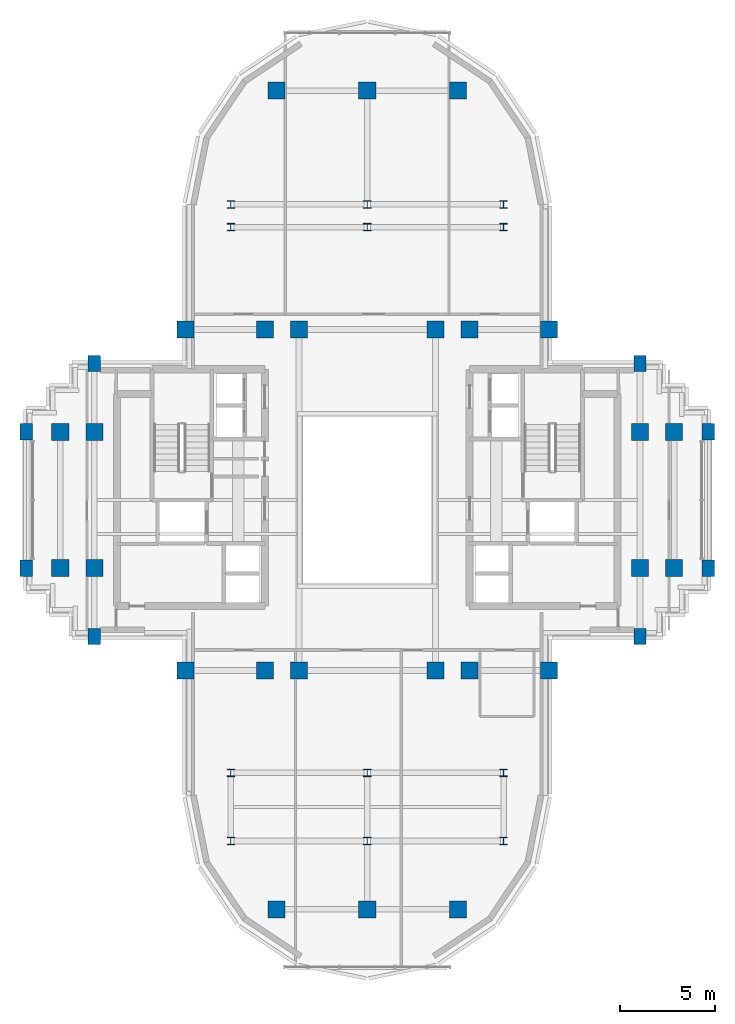
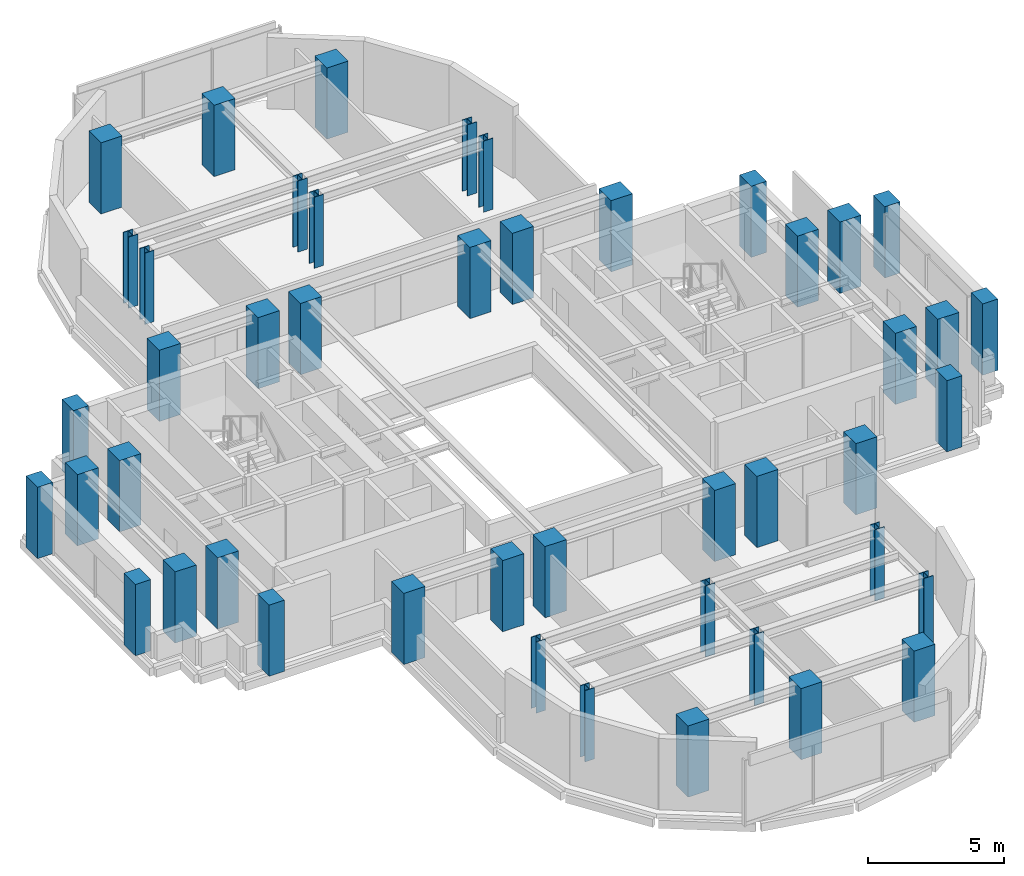
# One storey, part 1 of 11: 46 columns.
"""IFC4 building model written with IfcOpenShell, lengths in metres."""

import ifcopenshell
import ifcopenshell.guid

model = None  # the IFC model being written
_history = None  # IfcOwnerHistory: only IFC2X3 demands one
_inside = {}  # id of a spatial element -> (the spatial element, [elements in it])
_under = {}  # id of a project, library or spatial element -> (it, [spatial elements below it])
_declared = {}  # id of a project -> (the project, [libraries it declares])
_typed = {}  # id of a type object -> (the type object, [elements of that type])
_made_of = {}  # id of a material, layer set ... -> (it, [elements and type objects made of it])


def new_model(schema):
    """Start an empty IFC model of exactly this schema.

    Asked for "IFC4X3", IfcOpenShell would pick the latest addendum, in which some entities
    have other attributes; the version numbers below select the first issue.
    IFC2X3 requires an IfcOwnerHistory on every rooted entity: one is made here for all.
    """
    global model, _history
    if schema == "IFC4X3":
        model = ifcopenshell.file(schema_version=(4, 3, 0, 0))
    else:
        model = ifcopenshell.file(schema=schema)
    _inside.clear()
    _under.clear()
    _declared.clear()
    _typed.clear()
    _made_of.clear()
    _history = None
    if model.schema == "IFC2X3":
        org = make("IfcOrganization", Name="unknown")
        user = make(
            "IfcPersonAndOrganization",
            ThePerson=make("IfcPerson", FamilyName="unknown"),
            TheOrganization=org,
        )
        app = make(
            "IfcApplication",
            ApplicationDeveloper=org,
            Version="unknown",
            ApplicationFullName="unknown",
            ApplicationIdentifier="unknown",
        )
        _history = make(
            "IfcOwnerHistory",
            OwningUser=user,
            OwningApplication=app,
            ChangeAction="ADDED",
            CreationDate=0,
        )
    return model


def make(cls, **values):
    """One entity of the class cls with the attributes given. An attribute that is None is left unset."""
    return model.create_entity(
        cls, **{name: value for name, value in values.items() if value is not None}
    )


def rooted(cls, **values):
    """An entity with a GlobalId (a new one), such as an element, a storey or a relation."""
    return make(cls, GlobalId=ifcopenshell.guid.new(), OwnerHistory=_history, **values)


def si_unit(unit_type, name, prefix=None):
    """IfcSIUnit, for example si_unit("LENGTHUNIT", "METRE", prefix="MILLI")."""
    return make("IfcSIUnit", UnitType=unit_type, Prefix=prefix, Name=name)


def assignment(units):
    """IfcUnitAssignment: the units of a project."""
    return None if units is None else make("IfcUnitAssignment", Units=units)


def point(xyz):
    """IfcCartesianPoint."""
    return None if xyz is None else make("IfcCartesianPoint", Coordinates=xyz)


def direction(xyz):
    """IfcDirection."""
    return None if xyz is None else make("IfcDirection", DirectionRatios=xyz)


def frame(location, z_axis=None, x_axis=None):
    """IfcAxis2Placement3D, a coordinate frame: its origin and axes. An axis left out is left unset."""
    return make(
        "IfcAxis2Placement3D",
        Location=point(location),
        Axis=direction(z_axis),
        RefDirection=direction(x_axis),
    )


def frame_2d(location, x_axis=None):
    """IfcAxis2Placement2D, a coordinate frame in the plane: its origin and x axis."""
    return make(
        "IfcAxis2Placement2D", Location=point(location), RefDirection=direction(x_axis)
    )


def origin():
    """The frame at (0, 0, 0) with its axes left unset."""
    return frame((0.0, 0.0, 0.0))


def origin_2d():
    """The frame at (0, 0) in the plane with its x axis left unset."""
    return frame_2d((0.0, 0.0))


def place(relative_to, where):
    """IfcLocalPlacement: puts the frame where relative to a parent placement (None: the world)."""
    return make(
        "IfcLocalPlacement", PlacementRelTo=relative_to, RelativePlacement=where
    )


def context(
    kind, dimensions, precision=None, world=None, true_north=None, identifier=None
):
    """IfcGeometricRepresentationContext, for example the 3D "Model" context."""
    return make(
        "IfcGeometricRepresentationContext",
        ContextIdentifier=identifier,
        ContextType=kind,
        CoordinateSpaceDimension=dimensions,
        Precision=precision,
        WorldCoordinateSystem=world,
        TrueNorth=true_north,
    )


def subcontext(parent, identifier, kind, view, scale=None):
    """IfcGeometricRepresentationSubContext, for example "Body" below "Model"."""
    return make(
        "IfcGeometricRepresentationSubContext",
        ContextIdentifier=identifier,
        ContextType=kind,
        ParentContext=parent,
        TargetScale=scale,
        TargetView=view,
    )


def project(units=None, contexts=None):
    """IfcProject with its units and contexts."""
    return rooted(
        "IfcProject",
        Name="project",
        RepresentationContexts=contexts,
        UnitsInContext=assignment(units),
    )


def spatial(cls, under=None, at=None, **own):
    """A site, building, storey or space (cls), placed at a placement, below another one or the project."""
    s = rooted(cls, ObjectPlacement=at, **own)
    if under is not None:
        _under.setdefault(under.id(), (under, []))[1].append(s)
    return s


def profile(cls, at=None, kind="AREA", **sizes):
    """A parametric profile (cls). Its sizes go by their IFC names, for example OverallWidth=200.0."""
    return make(cls, ProfileType=kind, Position=at, **sizes)


def rectangle(**sizes):
    """IfcRectangleProfileDef."""
    return profile("IfcRectangleProfileDef", **sizes)


def i_section(**sizes):
    """IfcIShapeProfileDef."""
    return profile("IfcIShapeProfileDef", **sizes)


def extrude(swept, where, along, depth):
    """IfcExtrudedAreaSolid: the profile swept, set in the frame where, extruded along a direction by depth."""
    return make(
        "IfcExtrudedAreaSolid",
        SweptArea=swept,
        Position=where,
        ExtrudedDirection=direction(along),
        Depth=depth,
    )


def shape(context_of_items, identifier, shape_type, items):
    """IfcShapeRepresentation: the items that make up one representation, for example the "Body"."""
    return make(
        "IfcShapeRepresentation",
        ContextOfItems=context_of_items,
        RepresentationIdentifier=identifier,
        RepresentationType=shape_type,
        Items=items,
    )


def source(mapping_origin, context_of_items, identifier, shape_type, items):
    """IfcRepresentationMap: a shape defined once, which mapped items show again and again."""
    return make(
        "IfcRepresentationMap",
        MappingOrigin=mapping_origin,
        MappedRepresentation=shape(context_of_items, identifier, shape_type, items),
    )


def transform(
    local_origin,
    x_axis=None,
    y_axis=None,
    z_axis=None,
    scale=None,
    scale2=None,
    scale3=None,
    uniform=True,
):
    """IfcCartesianTransformationOperator3D, or its non-uniform kind. x_axis, y_axis, z_axis: its Axis1, 2, 3."""
    if uniform:
        return make(
            "IfcCartesianTransformationOperator3D",
            Axis1=direction(x_axis),
            Axis2=direction(y_axis),
            LocalOrigin=point(local_origin),
            Scale=scale,
            Axis3=direction(z_axis),
        )
    return make(
        "IfcCartesianTransformationOperator3DnonUniform",
        Axis1=direction(x_axis),
        Axis2=direction(y_axis),
        LocalOrigin=point(local_origin),
        Scale=scale,
        Axis3=direction(z_axis),
        Scale2=scale2,
        Scale3=scale3,
    )


def mapped(mapping_source, mapping_target):
    """IfcMappedItem: shows the shape of a source again, moved by a transform."""
    return make(
        "IfcMappedItem", MappingSource=mapping_source, MappingTarget=mapping_target
    )


def material(Name=None, Category=None):
    """IfcMaterial."""
    return make("IfcMaterial", Name=Name, Category=Category)


def material_profile(
    of_material, cross_section, Name=None, Category=None, Priority=None
):
    """IfcMaterialProfile: a cross section and its material."""
    return make(
        "IfcMaterialProfile",
        Name=Name,
        Material=of_material,
        Profile=cross_section,
        Priority=Priority,
        Category=Category,
    )


def profile_set(profiles, Name=None, composite=None):
    """IfcMaterialProfileSet."""
    return make(
        "IfcMaterialProfileSet",
        Name=Name,
        MaterialProfiles=profiles,
        CompositeProfile=composite,
    )


def made_of(thing, what):
    """Note that an element or type object is made of a material, layer set ...; save() writes the relation."""
    if what is not None:
        _made_of.setdefault(what.id(), (what, []))[1].append(thing)
    return thing


def type_object(cls, material=None, **own):
    """A type object (cls), such as IfcWallType, which elements share."""
    return made_of(rooted(cls, **own), material)


def element(
    cls,
    number,
    at=None,
    inside=None,
    cuts=None,
    type_object=None,
    material=None,
    context=None,
    identifier="Body",
    shape_type=None,
    held_by="IfcProductDefinitionShape",
    body=None,
    shapes=None,
    **own,
):
    """One element of the class cls, such as IfcWall. Its Tag is "e" and its number.

    at: its placement. inside: the storey or other place that contains it. cuts: it is an
    opening in that element (IfcRelVoidsElement). A single representation is given by context,
    identifier, shape_type and body (its items); several are given by shapes. held_by: the class
    of the entity that holds the representations. save() writes the other relations.
    """
    e = rooted(cls, Tag="e%d" % number, ObjectPlacement=at, **own)
    if body is not None:
        shapes = [shape(context, identifier, shape_type, body)]
    if shapes is not None:
        e.Representation = make(held_by, Representations=shapes)
    if inside is not None:
        _inside.setdefault(inside.id(), (inside, []))[1].append(e)
    if cuts is not None:
        rooted(
            "IfcRelVoidsElement", RelatingBuildingElement=cuts, RelatedOpeningElement=e
        )
    if type_object is not None:
        _typed.setdefault(type_object.id(), (type_object, []))[1].append(e)
    return made_of(e, material)


def aggregate(whole, parts):
    """IfcRelAggregates: a whole, such as a stair, and the parts it consists of."""
    return rooted("IfcRelAggregates", RelatingObject=whole, RelatedObjects=parts)


def save(model, path):
    """Write the relations noted so far, then the file.

    IfcRelAggregates (storeys below a building ...), IfcRelContainedInSpatialStructure (elements
    in a storey), IfcRelDefinesByType, IfcRelAssociatesMaterial and IfcRelDeclares: one each for
    every whole, place, type object, material and project.
    """
    for whole, parts in _under.values():
        aggregate(whole, parts)
    for where, things in _inside.values():
        rooted(
            "IfcRelContainedInSpatialStructure",
            RelatedElements=things,
            RelatingStructure=where,
        )
    for kind, things in _typed.values():
        rooted("IfcRelDefinesByType", RelatedObjects=things, RelatingType=kind)
    for what, things in _made_of.values():
        rooted("IfcRelAssociatesMaterial", RelatedObjects=things, RelatingMaterial=what)
    for by, libraries in _declared.values():
        rooted("IfcRelDeclares", RelatingContext=by, RelatedDefinitions=libraries)
    model.write(path)


model = new_model("IFC4")

# Units and contexts
model_context = context("Model", 3, precision=1e-05, world=origin(), true_north=direction((0.0, 1.0)))
body_context = subcontext(model_context, "Body", "Model", "MODEL_VIEW")
ifc_project = project(units=[si_unit("LENGTHUNIT", "METRE"), si_unit("AREAUNIT", "SQUARE_METRE"), si_unit("VOLUMEUNIT", "CUBIC_METRE"), si_unit("PLANEANGLEUNIT", "RADIAN"), si_unit("MASSUNIT", "GRAM", prefix="KILO")], contexts=[model_context])

# Site, building, storey
site_placement = place(None, origin())
site = spatial("IfcSite", under=ifc_project, at=site_placement, CompositionType="ELEMENT")
building_placement = place(site_placement, origin())
building = spatial("IfcBuilding", under=site, at=building_placement, Name="Keilestroom Media Tower", CompositionType="ELEMENT")
storey_placement = place(building_placement, frame((0.0, 0.0, 180.800048828125)))
storey = spatial("IfcBuildingStorey", under=building, at=storey_placement, Name="L49", CompositionType="ELEMENT", Elevation=180.800048828125)

# Columns
ifc_material_1 = material(Name="Precast concrete C40/50", Category="concrete")
ifc_material_profile_1 = material_profile(ifc_material_1, rectangle(XDim=0.64990234375, YDim=0.85009765625, at=origin_2d()), Name="PC 850x650")
ifc_profile_set_1 = profile_set([ifc_material_profile_1], Name="Precast concrete C40/50")
column_type_1 = type_object("IfcColumnType", Name="Structural-Column-PC-850x650", PredefinedType="COLUMN", material=ifc_profile_set_1)
shared_shape_1 = source(origin(), body_context, "Body", "SweptSolid", [
    extrude(rectangle(XDim=0.64990234375, YDim=0.85009765625, at=origin_2d()), origin(), (0.0, 0.0, 1.0), 3.199951171875),
])
for number, where, z_axis, x_axis, name in (
    (1, (-18.0, -3.60009765625, 0.0), (0.0, 0.0, 1.0), (1.0, 0.0, 0.0), "L49 Column PC-2 (-18.0,-3.6)"),
    (2, (-18.0, 3.60009765625, 0.0), (0.0, 0.0, 1.0), (1.0, 0.0, 0.0), "L49 Column PC-2 (-18.0,+3.6)"),
    (3, (-14.39990234375, -7.199951171875, 0.0), (0.0, 0.0, 1.0), (1.0, 0.0, 0.0), "L49 Column PC-2 (-14.4,-7.2)"),
    (4, (-14.39990234375, 7.199951171875, 0.0), (0.0, 0.0, 1.0), (1.0, 0.0, 0.0), "L49 Column PC-2 (-14.4,+7.2)"),
    (5, (14.39990234375, -7.199951171875, 0.0), (0.0, 0.0, 1.0), (1.0, 0.0, 0.0), "L49 Column PC-2 (+14.4,-7.2)"),
    (6, (14.39990234375, 7.199951171875, 0.0), (0.0, 0.0, 1.0), (1.0, 0.0, 0.0), "L49 Column PC-2 (+14.4,+7.2)"),
    (7, (18.0, -3.60009765625, 0.0), (0.0, 0.0, 1.0), (1.0, 0.0, 0.0), "L49 Column PC-2 (+18.0,-3.6)"),
    (8, (18.0, 3.60009765625, 0.0), (0.0, 0.0, 1.0), (1.0, 0.0, 0.0), "L49 Column PC-2 (+18.0,+3.6)"),
):
    element("IfcColumn", number, at=place(storey_placement, frame(where, z_axis=z_axis, x_axis=x_axis)), inside=storey, type_object=column_type_1, Name=name, PredefinedType="COLUMN", context=body_context, shape_type="MappedRepresentation", body=[
        mapped(shared_shape_1, transform((0.0, 0.0, 0.0), x_axis=(1.0, 0.0, 0.0), y_axis=(0.0, 1.0, 0.0), z_axis=(0.0, 0.0, 1.0), scale=1.0)),
    ])
ifc_material_2 = material(Name="Concrete C55/67", Category="concrete")
ifc_material_profile_2 = material_profile(ifc_material_2, rectangle(XDim=0.89990234375, YDim=0.89990234375, at=origin_2d()), Name="RC 900x900")
ifc_profile_set_2 = profile_set([ifc_material_profile_2], Name="Concrete C55/67")
column_type_2 = type_object("IfcColumnType", Name="Structural-Column-RC-900x900", PredefinedType="COLUMN", material=ifc_profile_set_2)
shared_shape_2 = source(origin(), body_context, "Body", "SweptSolid", [
    extrude(rectangle(XDim=0.89990234375, YDim=0.89990234375, at=origin_2d()), origin(), (0.0, 0.0, 1.0), 3.199951171875),
])
for number, where, z_axis, x_axis, name in (
    (9, (-16.199951171875, -3.60009765625, 0.0), (0.0, 0.0, 1.0), (1.0, 0.0, 0.0), "L49 Column MC-4 (-16.2,-3.6)"),
    (10, (-16.199951171875, 3.60009765625, 0.0), (0.0, 0.0, 1.0), (1.0, 0.0, 0.0), "L49 Column MC-4 (-16.2,+3.6)"),
    (11, (-14.39990234375, -3.60009765625, 0.0), (0.0, 0.0, 1.0), (1.0, 0.0, 0.0), "L49 Column MC-4 (-14.4,-3.6)"),
    (12, (-14.39990234375, 3.60009765625, 0.0), (0.0, 0.0, 1.0), (1.0, 0.0, 0.0), "L49 Column MC-4 (-14.4,+3.6)"),
    (13, (-9.60009765625, -9.0, 0.0), (0.0, 0.0, 1.0), (1.0, 0.0, 0.0), "L49 Column MC-4 (-9.6,-9.0)"),
    (14, (-9.60009765625, 9.0, 0.0), (0.0, 0.0, 1.0), (1.0, 0.0, 0.0), "L49 Column MC-4 (-9.6,+9.0)"),
    (15, (-5.39990234375, -9.0, 0.0), (0.0, 0.0, 1.0), (1.0, 0.0, 0.0), "L49 Column MC-4 (-5.4,-9.0)"),
    (16, (-5.39990234375, 9.0, 0.0), (0.0, 0.0, 1.0), (1.0, 0.0, 0.0), "L49 Column MC-4 (-5.4,+9.0)"),
    (17, (-4.800048828125, -21.60009765625, 0.0), (0.0, 0.0, 1.0), (1.0, 0.0, 0.0), "L49 Column MC-4 (-4.8,-21.6)"),
    (18, (-4.800048828125, 21.60009765625, 0.0), (0.0, 0.0, 1.0), (1.0, 0.0, 0.0), "L49 Column MC-4 (-4.8,+21.6)"),
    (19, (-3.60009765625, -9.0, 0.0), (0.0, 0.0, 1.0), (1.0, 0.0, 0.0), "L49 Column MC-4 (-3.6,-9.0)"),
    (20, (-3.60009765625, 9.0, 0.0), (0.0, 0.0, 1.0), (1.0, 0.0, 0.0), "L49 Column MC-4 (-3.6,+9.0)"),
    (21, (0.0, -21.60009765625, 0.0), (0.0, 0.0, 1.0), (1.0, 0.0, 0.0), "L49 Column MC-4 (+0.0,-21.6)"),
    (22, (0.0, 21.60009765625, 0.0), (0.0, 0.0, 1.0), (1.0, 0.0, 0.0), "L49 Column MC-4 (+0.0,+21.6)"),
    (23, (3.60009765625, -9.0, 0.0), (0.0, 0.0, 1.0), (1.0, 0.0, 0.0), "L49 Column MC-4 (+3.6,-9.0)"),
    (24, (3.60009765625, 9.0, 0.0), (0.0, 0.0, 1.0), (1.0, 0.0, 0.0), "L49 Column MC-4 (+3.6,+9.0)"),
    (25, (4.800048828125, -21.60009765625, 0.0), (0.0, 0.0, 1.0), (1.0, 0.0, 0.0), "L49 Column MC-4 (+4.8,-21.6)"),
    (26, (4.800048828125, 21.60009765625, 0.0), (0.0, 0.0, 1.0), (1.0, 0.0, 0.0), "L49 Column MC-4 (+4.8,+21.6)"),
    (27, (5.39990234375, -9.0, 0.0), (0.0, 0.0, 1.0), (1.0, 0.0, 0.0), "L49 Column MC-4 (+5.4,-9.0)"),
    (28, (5.39990234375, 9.0, 0.0), (0.0, 0.0, 1.0), (1.0, 0.0, 0.0), "L49 Column MC-4 (+5.4,+9.0)"),
    (29, (9.60009765625, -9.0, 0.0), (0.0, 0.0, 1.0), (1.0, 0.0, 0.0), "L49 Column MC-4 (+9.6,-9.0)"),
    (30, (9.60009765625, 9.0, 0.0), (0.0, 0.0, 1.0), (1.0, 0.0, 0.0), "L49 Column MC-4 (+9.6,+9.0)"),
    (31, (14.39990234375, -3.60009765625, 0.0), (0.0, 0.0, 1.0), (1.0, 0.0, 0.0), "L49 Column MC-4 (+14.4,-3.6)"),
    (32, (14.39990234375, 3.60009765625, 0.0), (0.0, 0.0, 1.0), (1.0, 0.0, 0.0), "L49 Column MC-4 (+14.4,+3.6)"),
    (33, (16.199951171875, -3.60009765625, 0.0), (0.0, 0.0, 1.0), (1.0, 0.0, 0.0), "L49 Column MC-4 (+16.2,-3.6)"),
    (34, (16.199951171875, 3.60009765625, 0.0), (0.0, 0.0, 1.0), (1.0, 0.0, 0.0), "L49 Column MC-4 (+16.2,+3.6)"),
):
    element("IfcColumn", number, at=place(storey_placement, frame(where, z_axis=z_axis, x_axis=x_axis)), inside=storey, type_object=column_type_2, Name=name, PredefinedType="COLUMN", context=body_context, shape_type="MappedRepresentation", body=[
        mapped(shared_shape_2, transform((0.0, 0.0, 0.0), x_axis=(1.0, 0.0, 0.0), y_axis=(0.0, 1.0, 0.0), z_axis=(0.0, 0.0, 1.0), scale=1.0)),
    ])
ifc_material_3 = material(Name="Steel S355", Category="steel")
ifc_material_profile_3 = material_profile(ifc_material_3, i_section(OverallWidth=0.39794921875, OverallDepth=0.386962890625, WebThickness=0.017578125, FlangeThickness=0.028076171875, at=origin_2d()), Name="HD 400x262")
ifc_profile_set_3 = profile_set([ifc_material_profile_3], Name="Steel S355")
column_type_3 = type_object("IfcColumnType", Name="Structural-Column-HD-400x262", PredefinedType="COLUMN", material=ifc_profile_set_3)
shared_shape_3 = source(origin(), body_context, "Body", "SweptSolid", [
    extrude(i_section(OverallWidth=0.39794921875, OverallDepth=0.386962890625, WebThickness=0.017578125, FlangeThickness=0.028076171875, at=origin_2d()), origin(), (0.0, 0.0, 1.0), 3.199951171875),
])
for number, where, z_axis, x_axis, name in (
    (35, (-7.199951171875, -18.0, 0.0), (0.0, 0.0, 1.0), (1.0, 0.0, 0.0), "L49 Column SC-4 (-7.2,-18.0)"),
    (36, (-7.199951171875, -14.39990234375, 0.0), (0.0, 0.0, 1.0), (1.0, 0.0, 0.0), "L49 Column SC-4 (-7.2,-14.4)"),
    (37, (-7.199951171875, 14.39990234375, 0.0), (0.0, 0.0, 1.0), (1.0, 0.0, 0.0), "L49 Column SC-4 (-7.2,+14.4)"),
    (38, (-7.199951171875, 15.60009765625, 0.0), (0.0, 0.0, 1.0), (1.0, 0.0, 0.0), "L49 Column SC-4 (-7.2,+15.6)"),
    (39, (0.0, -18.0, 0.0), (0.0, 0.0, 1.0), (1.0, 0.0, 0.0), "L49 Column SC-4 (+0.0,-18.0)"),
    (40, (0.0, -14.39990234375, 0.0), (0.0, 0.0, 1.0), (1.0, 0.0, 0.0), "L49 Column SC-4 (+0.0,-14.4)"),
    (41, (0.0, 14.39990234375, 0.0), (0.0, 0.0, 1.0), (1.0, 0.0, 0.0), "L49 Column SC-4 (+0.0,+14.4)"),
    (42, (0.0, 15.60009765625, 0.0), (0.0, 0.0, 1.0), (1.0, 0.0, 0.0), "L49 Column SC-4 (+0.0,+15.6)"),
    (43, (7.199951171875, -18.0, 0.0), (0.0, 0.0, 1.0), (1.0, 0.0, 0.0), "L49 Column SC-4 (+7.2,-18.0)"),
    (44, (7.199951171875, -14.39990234375, 0.0), (0.0, 0.0, 1.0), (1.0, 0.0, 0.0), "L49 Column SC-4 (+7.2,-14.4)"),
    (45, (7.199951171875, 14.39990234375, 0.0), (0.0, 0.0, 1.0), (1.0, 0.0, 0.0), "L49 Column SC-4 (+7.2,+14.4)"),
    (46, (7.199951171875, 15.60009765625, 0.0), (0.0, 0.0, 1.0), (1.0, 0.0, 0.0), "L49 Column SC-4 (+7.2,+15.6)"),
):
    element("IfcColumn", number, at=place(storey_placement, frame(where, z_axis=z_axis, x_axis=x_axis)), inside=storey, type_object=column_type_3, Name=name, PredefinedType="COLUMN", context=body_context, shape_type="MappedRepresentation", body=[
        mapped(shared_shape_3, transform((0.0, 0.0, 0.0), x_axis=(1.0, 0.0, 0.0), y_axis=(0.0, 1.0, 0.0), z_axis=(0.0, 0.0, 1.0), scale=1.0)),
    ])

save(model, "model.ifc")
